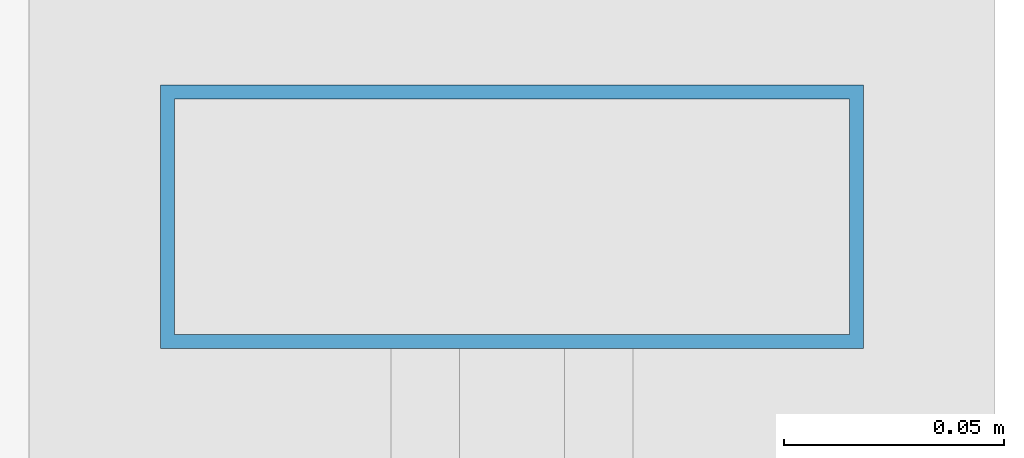
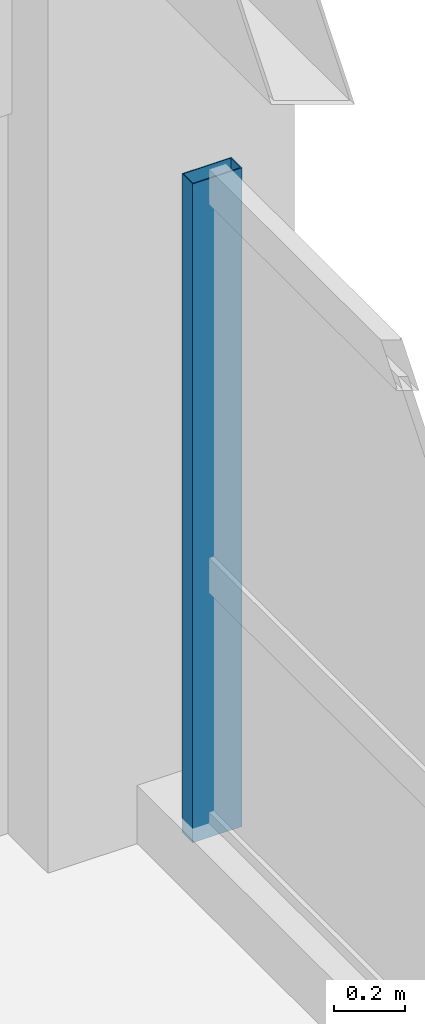
# One storey, part 19 of 26: 1 member, 1 element without a shape of its own.
"""IFC4 building model written with IfcOpenShell, lengths in metres."""

from ifc_helpers import new_model, si_unit, direction, frame, origin, origin_2d, place, context, subcontext, project, spatial, hollow_rectangle, extrude, material, material_profile, profile_set, type_object, element, aggregate, save


model = new_model("IFC4")

# Units and contexts
model_context = context("Model", 3, precision=1e-05, world=origin(), true_north=direction((0.0, 1.0)))
body_context = subcontext(model_context, "Body", "Model", "MODEL_VIEW")
ifc_project = project(units=[si_unit("LENGTHUNIT", "METRE"), si_unit("AREAUNIT", "SQUARE_METRE"), si_unit("VOLUMEUNIT", "CUBIC_METRE"), si_unit("PLANEANGLEUNIT", "RADIAN"), si_unit("MASSUNIT", "GRAM", prefix="KILO")], contexts=[model_context])

# Site, building, storey
site_placement = place(None, origin())
site = spatial("IfcSite", under=ifc_project, at=site_placement, CompositionType="ELEMENT")
building_placement = place(site_placement, origin())
building = spatial("IfcBuilding", under=site, at=building_placement, Name="Kaldorvane Square Convention Centre", CompositionType="ELEMENT")
storey_placement = place(building_placement, frame((0.0, 0.0, 45.600006103515625)))
storey = spatial("IfcBuildingStorey", under=building, at=storey_placement, Name="L10", CompositionType="ELEMENT", Elevation=45.600006103515625)

# Curtain wall, member
ifc_material = material(Name="Anodized Aluminum and Low-E Insulated Glazing", Category="aluminium")
curtain_wall_type = type_object("IfcCurtainWallType", Name="CW-UNI-HTL-A", PredefinedType="USERDEFINED", material=ifc_material)
curtain_wall_placement = place(storey_placement, origin())
curtain_wall = element("IfcCurtainWall", 1, at=curtain_wall_placement, inside=storey, type_object=curtain_wall_type, Name="Curtain Wall CW-10 (L10)", ObjectType="UNITISED GLAZING", PredefinedType="USERDEFINED")
ifc_material_profile = material_profile(ifc_material, hollow_rectangle(XDim=0.05999755859375, YDim=0.160003662109375, WallThickness=0.003204345703125, at=origin_2d()), Name="CWM-160X60")
ifc_profile_set = profile_set([ifc_material_profile], Name="Anodized Aluminum and Low-E Insulated Glazing")
member_type = type_object("IfcMemberType", Name="CW-MUL-160", PredefinedType="MULLION", material=ifc_profile_set)
member_placement = place(storey_placement, frame((84.0, 116.3699951171875, 0.149993896484375), z_axis=(0.0, 0.0, 1.0), x_axis=(0.0, 1.0, 0.0)))
member = element("IfcMember", 2, at=member_placement, type_object=member_type, Name="CW-10 mullion 4", PredefinedType="MULLION", context=body_context, shape_type="SweptSolid", body=[
    extrude(hollow_rectangle(XDim=0.05999755859375, YDim=0.160003662109375, WallThickness=0.003204345703125, at=origin_2d()), origin(), (0.0, 0.0, 1.0), 2.2599945068359375),
])
aggregate(curtain_wall, [member])

save(model, "model.ifc")
